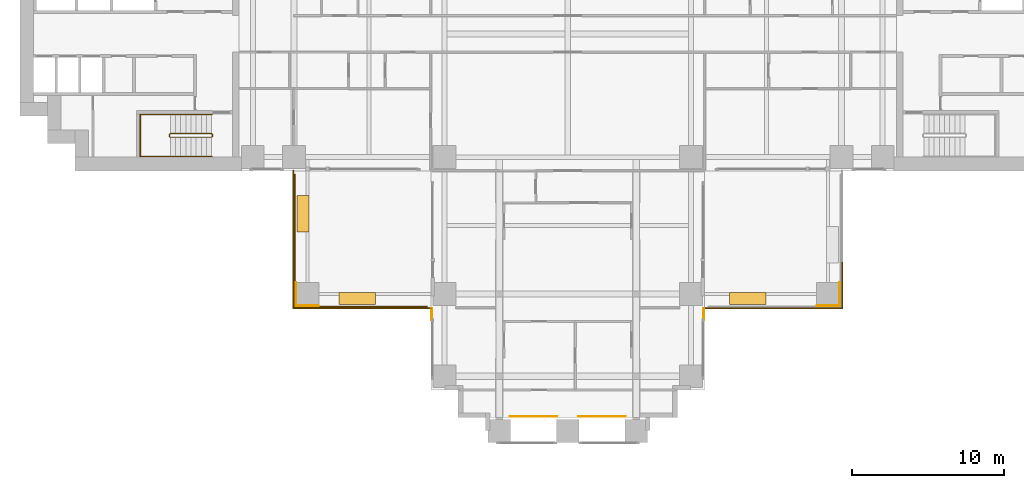
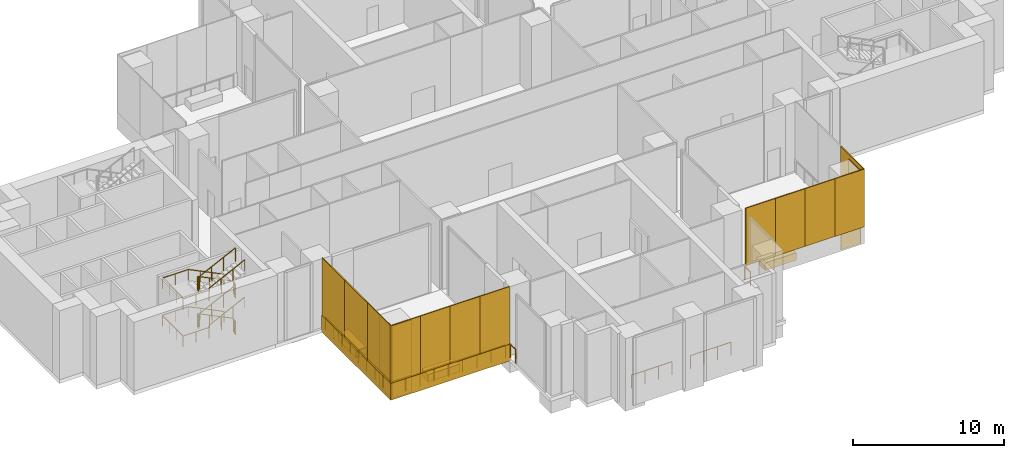
# One storey, part 14 of 17: 20 coverings, 8 railings.
"""IFC4 building model written with IfcOpenShell, lengths in metres."""

from ifc_helpers import new_model, si_unit, direction, frame, origin, origin_2d, place, context, subcontext, project, spatial, polyline, rectangle, outline, extrude, material, layer, layer_set, type_object, element, save


model = new_model("IFC4")

# Units and contexts
model_context = context("Model", 3, precision=1e-05, world=origin(), true_north=direction((0.0, 1.0)))
body_context = subcontext(model_context, "Body", "Model", "MODEL_VIEW")
ifc_project = project(units=[si_unit("LENGTHUNIT", "METRE"), si_unit("AREAUNIT", "SQUARE_METRE"), si_unit("VOLUMEUNIT", "CUBIC_METRE"), si_unit("PLANEANGLEUNIT", "RADIAN"), si_unit("MASSUNIT", "GRAM", prefix="KILO")], contexts=[model_context])

# Site, building, storey
site_placement = place(None, origin())
site = spatial("IfcSite", under=ifc_project, at=site_placement, CompositionType="ELEMENT")
building_placement = place(site_placement, origin())
building = spatial("IfcBuilding", under=site, at=building_placement, Name="Perihelion Cross Residences", CompositionType="ELEMENT")
storey_placement = place(building_placement, frame((0.0, 0.0, 21.0)))
storey = spatial("IfcBuildingStorey", under=building, at=storey_placement, Name="L02", CompositionType="ELEMENT", Elevation=21.0)

# Railings
ifc_material_1 = material(Name="Bronze anodised aluminium", Category="aluminium")
railing_type_1 = type_object("IfcRailingType", Name="Balcony guard 1100", PredefinedType="GUARDRAIL", material=ifc_material_1)
railing_1_placement = place(storey_placement, frame((-9.25, -17.93994140625, 0.0)))
element("IfcRailing", 1, at=railing_1_placement, inside=storey, type_object=railing_type_1, Name="Guard GU1 L02 pocket south-west 1", PredefinedType="GUARDRAIL", context=body_context, shape_type="SweptSolid", body=[
    extrude(rectangle(XDim=0.048095703125, YDim=0.048095703125, at=origin_2d()), frame((0.0, 0.0, 1.076171875), z_axis=(-1.0, 0.0, 0.0), x_axis=(0.0, -1.0, 0.0)), (0.0, 0.0, 1.0), 8.68994140625),
    extrude(rectangle(XDim=0.048095703125, YDim=0.048095703125, at=origin_2d()), frame((-8.68994140625, 0.0, 1.076171875), z_axis=(0.0, 1.0, 0.0), x_axis=(-1.0, 0.0, 0.0)), (0.0, 0.0, 1.0), 8.68994140625),
    extrude(rectangle(XDim=0.0419921875, YDim=0.0419921875, at=origin_2d()), origin(), (0.0, 0.0, 1.0), 1.052001953125),
    extrude(rectangle(XDim=0.0419921875, YDim=0.0419921875, at=origin_2d()), frame((-1.086181640625, 0.0, 0.0)), (0.0, 0.0, 1.0), 1.052001953125),
    extrude(rectangle(XDim=0.0419921875, YDim=0.0419921875, at=origin_2d()), frame((-2.17236328125, 0.0, 0.0)), (0.0, 0.0, 1.0), 1.052001953125),
    extrude(rectangle(XDim=0.0419921875, YDim=0.0419921875, at=origin_2d()), frame((-3.2587890625, 0.0, 0.0)), (0.0, 0.0, 1.0), 1.052001953125),
    extrude(rectangle(XDim=0.0419921875, YDim=0.0419921875, at=origin_2d()), frame((-4.344970703125, 0.0, 0.0)), (0.0, 0.0, 1.0), 1.052001953125),
    extrude(rectangle(XDim=0.0419921875, YDim=0.0419921875, at=origin_2d()), frame((-5.43115234375, 0.0, 0.0)), (0.0, 0.0, 1.0), 1.052001953125),
    extrude(rectangle(XDim=0.0419921875, YDim=0.0419921875, at=origin_2d()), frame((-6.517578125, 0.0, 0.0)), (0.0, 0.0, 1.0), 1.052001953125),
    extrude(rectangle(XDim=0.0419921875, YDim=0.0419921875, at=origin_2d()), frame((-7.603759765625, 0.0, 0.0)), (0.0, 0.0, 1.0), 1.052001953125),
    extrude(rectangle(XDim=0.0419921875, YDim=0.0419921875, at=origin_2d()), frame((-8.68994140625, 0.0, 0.0)), (0.0, 0.0, 1.0), 1.052001953125),
    extrude(rectangle(XDim=0.0419921875, YDim=0.0419921875, at=origin_2d()), frame((-8.68994140625, 1.086181640625, 0.0)), (0.0, 0.0, 1.0), 1.052001953125),
    extrude(rectangle(XDim=0.0419921875, YDim=0.0419921875, at=origin_2d()), frame((-8.68994140625, 2.17236328125, 0.0)), (0.0, 0.0, 1.0), 1.052001953125),
    extrude(rectangle(XDim=0.0419921875, YDim=0.0419921875, at=origin_2d()), frame((-8.68994140625, 3.2587890625, 0.0)), (0.0, 0.0, 1.0), 1.052001953125),
    extrude(rectangle(XDim=0.0419921875, YDim=0.0419921875, at=origin_2d()), frame((-8.68994140625, 4.344970703125, 0.0)), (0.0, 0.0, 1.0), 1.052001953125),
    extrude(rectangle(XDim=0.0419921875, YDim=0.0419921875, at=origin_2d()), frame((-8.68994140625, 5.43115234375, 0.0)), (0.0, 0.0, 1.0), 1.052001953125),
    extrude(rectangle(XDim=0.0419921875, YDim=0.0419921875, at=origin_2d()), frame((-8.68994140625, 6.517578125, 0.0)), (0.0, 0.0, 1.0), 1.052001953125),
    extrude(rectangle(XDim=0.0419921875, YDim=0.0419921875, at=origin_2d()), frame((-8.68994140625, 7.603759765625, 0.0)), (0.0, 0.0, 1.0), 1.052001953125),
    extrude(rectangle(XDim=0.0419921875, YDim=0.0419921875, at=origin_2d()), frame((-8.68994140625, 8.68994140625, 0.0)), (0.0, 0.0, 1.0), 1.052001953125),
])
railing_2_placement = place(storey_placement, frame((-8.93994140625, -18.050048828125, 0.0)))
element("IfcRailing", 2, at=railing_2_placement, inside=storey, type_object=railing_type_1, Name="Guard GU1 L02 edge 1 1 4", PredefinedType="GUARDRAIL", context=body_context, shape_type="SweptSolid", body=[
    extrude(rectangle(XDim=0.048095703125, YDim=0.048095703125, at=origin_2d()), frame((0.0, 0.0, 1.076171875), z_axis=(0.0, -1.0, 0.0), x_axis=(1.0, 0.0, 0.0)), (0.0, 0.0, 1.0), 0.75),
    extrude(rectangle(XDim=0.0419921875, YDim=0.0419921875, at=origin_2d()), origin(), (0.0, 0.0, 1.0), 1.052001953125),
    extrude(rectangle(XDim=0.0419921875, YDim=0.0419921875, at=origin_2d()), frame((0.0, -0.75, 0.0)), (0.0, 0.0, 1.0), 1.052001953125),
])
for number, where, name in (
    (3, (-3.800048828125, -25.139892578125, 0.0), "Guard GU1 L02 edge 1 1 6"),
    (4, (0.699951171875, -25.139892578125, 0.0), "Guard GU1 L02 edge 1 1 7"),
):
    element("IfcRailing", number, at=place(storey_placement, frame(where)), inside=storey, type_object=railing_type_1, Name=name, PredefinedType="GUARDRAIL", context=body_context, shape_type="SweptSolid", body=[
        extrude(rectangle(XDim=0.048095703125, YDim=0.048095703125, at=origin_2d()), frame((0.0, 0.0, 1.076171875), z_axis=(1.0, 0.0, 0.0), x_axis=(0.0, 1.0, 0.0)), (0.0, 0.0, 1.0), 3.10009765625),
        extrude(rectangle(XDim=0.0419921875, YDim=0.0419921875, at=origin_2d()), origin(), (0.0, 0.0, 1.0), 1.052001953125),
        extrude(rectangle(XDim=0.0419921875, YDim=0.0419921875, at=origin_2d()), frame((1.033447265625, 0.0, 0.0)), (0.0, 0.0, 1.0), 1.052001953125),
        extrude(rectangle(XDim=0.0419921875, YDim=0.0419921875, at=origin_2d()), frame((2.066650390625, 0.0, 0.0)), (0.0, 0.0, 1.0), 1.052001953125),
        extrude(rectangle(XDim=0.0419921875, YDim=0.0419921875, at=origin_2d()), frame((3.10009765625, 0.0, 0.0)), (0.0, 0.0, 1.0), 1.052001953125),
    ])
railing_3_placement = place(storey_placement, frame((8.93994140625, -18.800048828125, 0.0)))
element("IfcRailing", 5, at=railing_3_placement, inside=storey, type_object=railing_type_1, Name="Guard GU1 L02 edge 1 1 9", PredefinedType="GUARDRAIL", context=body_context, shape_type="SweptSolid", body=[
    extrude(rectangle(XDim=0.048095703125, YDim=0.048095703125, at=origin_2d()), frame((0.0, 0.0, 1.076171875), z_axis=(0.0, 1.0, 0.0), x_axis=(-1.0, 0.0, 0.0)), (0.0, 0.0, 1.0), 0.75),
    extrude(rectangle(XDim=0.0419921875, YDim=0.0419921875, at=origin_2d()), origin(), (0.0, 0.0, 1.0), 1.052001953125),
    extrude(rectangle(XDim=0.0419921875, YDim=0.0419921875, at=origin_2d()), frame((0.0, 0.75, 0.0)), (0.0, 0.0, 1.0), 1.052001953125),
])

# Coverings
ifc_material_2 = material(Name="Bronze anodised aluminium", Category="aluminium")
ifc_layer_1 = layer(ifc_material_2, 0.0400390625)
ifc_layer_set_1 = layer_set([ifc_layer_1], Name="Bronze column casing 40")
covering_type_1 = type_object("IfcCoveringType", Name="Bronze column casing 40", PredefinedType="CLADDING", material=ifc_layer_set_1)
covering_1_placement = place(storey_placement, frame((-17.8701171875, -17.10009765625, -0.300048828125), z_axis=(0.0, 0.0, 1.0), x_axis=(1.0, 0.0, 0.0)))
element("IfcCovering", 6, at=covering_1_placement, inside=storey, type_object=covering_type_1, Name="Cladding CC1 L02 casing east-west no. 1", PredefinedType="CLADDING", context=body_context, shape_type="SweptSolid", body=[
    extrude(rectangle(XDim=0.0400390625, YDim=1.580078125, at=origin_2d()), origin(), (0.0, 0.0, 1.0), 5.85009765625),
])
covering_2_placement = place(storey_placement, frame((-17.10009765625, -17.8701171875, -0.300048828125), z_axis=(0.0, 0.0, 1.0), x_axis=(1.0, 0.0, 0.0)))
element("IfcCovering", 7, at=covering_2_placement, inside=storey, type_object=covering_type_1, Name="Cladding CC1 L02 casing north-south no. 1", PredefinedType="CLADDING", context=body_context, shape_type="SweptSolid", body=[
    extrude(rectangle(XDim=1.5, YDim=0.0400390625, at=origin_2d()), origin(), (0.0, 0.0, 1.0), 5.85009765625),
])
covering_3_placement = place(storey_placement, frame((17.8701171875, -17.10009765625, -0.300048828125), z_axis=(0.0, 0.0, 1.0), x_axis=(1.0, 0.0, 0.0)))
element("IfcCovering", 8, at=covering_3_placement, inside=storey, type_object=covering_type_1, Name="Cladding CC1 L02 casing east-west no. 3", PredefinedType="CLADDING", context=body_context, shape_type="SweptSolid", body=[
    extrude(rectangle(XDim=0.0400390625, YDim=1.580078125, at=origin_2d()), origin(), (0.0, 0.0, 1.0), 5.85009765625),
])
covering_4_placement = place(storey_placement, frame((17.10009765625, -17.8701171875, -0.300048828125), z_axis=(0.0, 0.0, 1.0), x_axis=(1.0, 0.0, 0.0)))
element("IfcCovering", 9, at=covering_4_placement, inside=storey, type_object=covering_type_1, Name="Cladding CC1 L02 casing north-south no. 3", PredefinedType="CLADDING", context=body_context, shape_type="SweptSolid", body=[
    extrude(rectangle(XDim=1.5, YDim=0.0400390625, at=origin_2d()), origin(), (0.0, 0.0, 1.0), 5.85009765625),
])
ifc_material_3 = material(Name="Precast concrete C40/50", Category="concrete")
covering_type_2 = type_object("IfcCoveringType", Name="Planter box 2400", PredefinedType="USERDEFINED", material=ifc_material_3)
for number, where, z_axis, x_axis, name in (
    (10, (11.830078125, -17.389892578125, 0.0), (0.0, 0.0, 1.0), (-1.0, 0.0, 0.0), "Planter PT1 L02 pocket south-east 2"),
    (11, (-13.85009765625, -17.389892578125, 0.0), (0.0, 0.0, 1.0), (-1.0, 0.0, 0.0), "Planter PT1 L02 pocket south-west 1"),
    (12, (-17.389892578125, -11.830078125, 0.0), (0.0, 0.0, 1.0), (0.0, 1.0, 0.0), "Planter PT1 L02 pocket south-west 2"),
):
    element("IfcCovering", number, at=place(storey_placement, frame(where, z_axis=z_axis, x_axis=x_axis)), inside=storey, type_object=covering_type_2, Name=name, ObjectType="PLANTER", PredefinedType="USERDEFINED", context=body_context, shape_type="SweptSolid", body=[
        extrude(rectangle(XDim=2.39990234375, YDim=0.800048828125, at=origin_2d()), origin(), (0.0, 0.0, 1.0), 0.60009765625),
    ])
ifc_material_4 = material(Name="Bronze anodised aluminium", Category="aluminium")
ifc_layer_2 = layer(ifc_material_4, 0.070068359375)
ifc_layer_set_2 = layer_set([ifc_layer_2], Name="Pocket fascia 1350")
covering_type_3 = type_object("IfcCoveringType", Name="Pocket fascia 1350", PredefinedType="CLADDING", material=ifc_layer_set_2)
covering_5_placement = place(storey_placement, frame((0.0, 0.0, -0.25)))
element("IfcCovering", 13, at=covering_5_placement, inside=storey, type_object=covering_type_3, Name="Fascia BF2 L02 pocket south-west 1", PredefinedType="CLADDING", context=body_context, shape_type="SweptSolid", body=[
    extrude(outline(polyline([(-18.070068359375, -18.070068359375), (-8.929931640625, -18.070068359375), (-8.929931640625, -18.0), (-9.0, -18.0), (-9.0, -18.0), (-18.0, -18.0), (-18.0, -9.0), (-18.0, -9.0), (-18.0, -8.929931640625), (-18.070068359375, -8.929931640625), (-18.070068359375, -18.070068359375)])), origin(), (0.0, 0.0, 1.0), 1.35009765625),
])
ifc_material_5 = material(Name="Bronze perforated aluminium", Category="aluminium")
ifc_layer_3 = layer(ifc_material_5, 0.070068359375)
ifc_layer_set_3 = layer_set([ifc_layer_3], Name="Pocket solar screen, bronze perforated")
covering_type_4 = type_object("IfcCoveringType", Name="Pocket solar screen, bronze perforated", PredefinedType="CLADDING", material=ifc_layer_set_3)
covering_6_placement = place(storey_placement, frame((0.0, 0.0, 1.10009765625)))
element("IfcCovering", 14, at=covering_6_placement, inside=storey, type_object=covering_type_4, Name="Solar screen PS1 L02 pocket south-east no. 1", PredefinedType="CLADDING", context=body_context, shape_type="SweptSolid", body=[
    extrude(outline(polyline([(18.070068359375, -18.0), (18.070068359375, -15.0), (18.0, -15.0), (18.0, -18.0), (18.070068359375, -18.0)])), origin(), (0.0, 0.0, 1.0), 4.64990234375),
])
covering_7_placement = place(storey_placement, frame((0.0, 0.0, 1.10009765625)))
element("IfcCovering", 15, at=covering_7_placement, inside=storey, type_object=covering_type_4, Name="Solar screen PS1 L02 pocket south-east no. 4", PredefinedType="CLADDING", context=body_context, shape_type="SweptSolid", body=[
    extrude(outline(polyline([(11.267578125, -18.070068359375), (11.267578125, -18.0), (9.0, -18.0), (9.0, -18.070068359375), (11.267578125, -18.070068359375)])), origin(), (0.0, 0.0, 1.0), 4.64990234375),
])
covering_8_placement = place(storey_placement, frame((0.0, 0.0, 1.10009765625)))
element("IfcCovering", 16, at=covering_8_placement, inside=storey, type_object=covering_type_4, Name="Solar screen PS1 L02 pocket south-east no. 5", PredefinedType="CLADDING", context=body_context, shape_type="SweptSolid", body=[
    extrude(outline(polyline([(13.534912109375, -18.070068359375), (13.534912109375, -18.0), (11.267578125, -18.0), (11.267578125, -18.070068359375), (13.534912109375, -18.070068359375)])), origin(), (0.0, 0.0, 1.0), 4.64990234375),
])
covering_9_placement = place(storey_placement, frame((0.0, 0.0, 1.10009765625)))
element("IfcCovering", 17, at=covering_9_placement, inside=storey, type_object=covering_type_4, Name="Solar screen PS1 L02 pocket south-east no. 6", PredefinedType="CLADDING", context=body_context, shape_type="SweptSolid", body=[
    extrude(outline(polyline([(15.802490234375, -18.070068359375), (15.802490234375, -18.0), (13.534912109375, -18.0), (13.534912109375, -18.070068359375), (15.802490234375, -18.070068359375)])), origin(), (0.0, 0.0, 1.0), 4.64990234375),
])
covering_10_placement = place(storey_placement, frame((0.0, 0.0, 1.10009765625)))
element("IfcCovering", 18, at=covering_10_placement, inside=storey, type_object=covering_type_4, Name="Solar screen PS1 L02 pocket south-east no. 7", PredefinedType="CLADDING", context=body_context, shape_type="SweptSolid", body=[
    extrude(outline(polyline([(18.070068359375, -18.070068359375), (18.070068359375, -18.0), (15.802490234375, -18.0), (15.802490234375, -18.070068359375), (18.070068359375, -18.070068359375)])), origin(), (0.0, 0.0, 1.0), 4.64990234375),
])
covering_11_placement = place(storey_placement, frame((0.0, 0.0, 1.10009765625)))
element("IfcCovering", 19, at=covering_11_placement, inside=storey, type_object=covering_type_4, Name="Solar screen PS1 L02 pocket south-west no. 1", PredefinedType="CLADDING", context=body_context, shape_type="SweptSolid", body=[
    extrude(outline(polyline([(-18.0, -18.0), (-18.0, -15.0), (-18.070068359375, -15.0), (-18.070068359375, -18.0), (-18.0, -18.0)])), origin(), (0.0, 0.0, 1.0), 4.64990234375),
])
covering_12_placement = place(storey_placement, frame((0.0, 0.0, 1.10009765625)))
element("IfcCovering", 20, at=covering_12_placement, inside=storey, type_object=covering_type_4, Name="Solar screen PS1 L02 pocket south-west no. 2", PredefinedType="CLADDING", context=body_context, shape_type="SweptSolid", body=[
    extrude(outline(polyline([(-18.0, -15.0), (-18.0, -12.0), (-18.070068359375, -12.0), (-18.070068359375, -15.0), (-18.0, -15.0)])), origin(), (0.0, 0.0, 1.0), 4.64990234375),
])
covering_13_placement = place(storey_placement, frame((0.0, 0.0, 1.10009765625)))
element("IfcCovering", 21, at=covering_13_placement, inside=storey, type_object=covering_type_4, Name="Solar screen PS1 L02 pocket south-west no. 3", PredefinedType="CLADDING", context=body_context, shape_type="SweptSolid", body=[
    extrude(outline(polyline([(-18.0, -12.0), (-18.0, -9.0), (-18.070068359375, -9.0), (-18.070068359375, -12.0), (-18.0, -12.0)])), origin(), (0.0, 0.0, 1.0), 4.64990234375),
])
covering_14_placement = place(storey_placement, frame((0.0, 0.0, 1.10009765625)))
element("IfcCovering", 22, at=covering_14_placement, inside=storey, type_object=covering_type_4, Name="Solar screen PS1 L02 pocket south-west no. 4", PredefinedType="CLADDING", context=body_context, shape_type="SweptSolid", body=[
    extrude(outline(polyline([(-15.802490234375, -18.070068359375), (-15.802490234375, -18.0), (-18.070068359375, -18.0), (-18.070068359375, -18.070068359375), (-15.802490234375, -18.070068359375)])), origin(), (0.0, 0.0, 1.0), 4.64990234375),
])
covering_15_placement = place(storey_placement, frame((0.0, 0.0, 1.10009765625)))
element("IfcCovering", 23, at=covering_15_placement, inside=storey, type_object=covering_type_4, Name="Solar screen PS1 L02 pocket south-west no. 5", PredefinedType="CLADDING", context=body_context, shape_type="SweptSolid", body=[
    extrude(outline(polyline([(-13.534912109375, -18.070068359375), (-13.534912109375, -18.0), (-15.802490234375, -18.0), (-15.802490234375, -18.070068359375), (-13.534912109375, -18.070068359375)])), origin(), (0.0, 0.0, 1.0), 4.64990234375),
])
covering_16_placement = place(storey_placement, frame((0.0, 0.0, 1.10009765625)))
element("IfcCovering", 24, at=covering_16_placement, inside=storey, type_object=covering_type_4, Name="Solar screen PS1 L02 pocket south-west no. 6", PredefinedType="CLADDING", context=body_context, shape_type="SweptSolid", body=[
    extrude(outline(polyline([(-11.267578125, -18.070068359375), (-11.267578125, -18.0), (-13.534912109375, -18.0), (-13.534912109375, -18.070068359375), (-11.267578125, -18.070068359375)])), origin(), (0.0, 0.0, 1.0), 4.64990234375),
])
covering_17_placement = place(storey_placement, frame((0.0, 0.0, 1.10009765625)))
element("IfcCovering", 25, at=covering_17_placement, inside=storey, type_object=covering_type_4, Name="Solar screen PS1 L02 pocket south-west no. 7", PredefinedType="CLADDING", context=body_context, shape_type="SweptSolid", body=[
    extrude(outline(polyline([(-9.0, -18.070068359375), (-9.0, -18.0), (-11.267578125, -18.0), (-11.267578125, -18.070068359375), (-9.0, -18.070068359375)])), origin(), (0.0, 0.0, 1.0), 4.64990234375),
])

# Railings
ifc_material_6 = material(Name="Stainless steel", Category="steel")
railing_type_2 = type_object("IfcRailingType", Name="Stair guard 1100", PredefinedType="GUARDRAIL", material=ifc_material_6)
railing_4_placement = place(storey_placement, frame((-23.35009765625, -6.75, 0.0)))
element("IfcRailing", 26, at=railing_4_placement, inside=storey, type_object=railing_type_2, Name="L02 ST-W2 stair guard 1", PredefinedType="GUARDRAIL", context=body_context, shape_type="SweptSolid", body=[
    extrude(rectangle(XDim=0.048095703125, YDim=0.048095703125, at=origin_2d()), frame((0.0, 0.0, 1.076171875), z_axis=(0.0, 1.0, 0.0), x_axis=(-1.0, 0.0, 0.0)), (0.0, 0.0, 1.0), 0.14990234375),
    extrude(rectangle(XDim=0.048095703125, YDim=0.048095703125, at=origin_2d()), frame((0.0, 0.14990234375, 1.076171875), z_axis=(-0.275041040955, 0.276389281352, 0.920848191041), x_axis=(-0.708833529934, -0.705375805398, 0.0)), (0.0, 0.0, 1.0), 0.18115234375),
    extrude(rectangle(XDim=0.048095703125, YDim=0.048095703125, at=origin_2d()), frame((-0.0498046875, 0.199951171875, 1.24267578125), z_axis=(-0.897945078525, 0.0, 0.440107527717), x_axis=(0.0, -1.0, 0.0)), (0.0, 0.0, 1.0), 3.029296875),
    extrude(rectangle(XDim=0.048095703125, YDim=0.048095703125, at=origin_2d()), frame((-2.77001953125, 0.199951171875, 2.576171875), z_axis=(-0.705375805398, -0.708833529934, 0.0), x_axis=(0.708833529934, -0.705375805398, 0.0)), (0.0, 0.0, 1.0), 0.070556640625),
    extrude(rectangle(XDim=0.048095703125, YDim=0.048095703125, at=origin_2d()), frame((-2.81982421875, 0.14990234375, 2.576171875), z_axis=(0.0, -1.0, 0.0), x_axis=(1.0, 0.0, 0.0)), (0.0, 0.0, 1.0), 0.14990234375),
    extrude(rectangle(XDim=0.048095703125, YDim=0.048095703125, at=origin_2d()), frame((-2.81982421875, 0.0, 2.576171875), z_axis=(0.275041040955, -0.276389281352, 0.920848191041), x_axis=(0.708833529934, 0.705375805398, 0.0)), (0.0, 0.0, 1.0), 0.18115234375),
    extrude(rectangle(XDim=0.048095703125, YDim=0.048095703125, at=origin_2d()), frame((-2.77001953125, -0.050048828125, 2.74267578125), z_axis=(0.897945078525, 0.0, 0.440107527717), x_axis=(0.0, 1.0, 0.0)), (0.0, 0.0, 1.0), 3.029296875),
    extrude(rectangle(XDim=0.048095703125, YDim=0.048095703125, at=origin_2d()), frame((-0.0498046875, -0.050048828125, 4.076171875), z_axis=(0.241699205484, 0.970351222016, 0.0), x_axis=(-0.970351222016, 0.241699205484, 0.0)), (0.0, 0.0, 1.0), 0.2060546875),
    extrude(rectangle(XDim=0.048095703125, YDim=0.048095703125, at=origin_2d()), frame((0.0, 0.14990234375, 4.076171875), z_axis=(0.0, -1.0, 0.0), x_axis=(1.0, 0.0, 0.0)), (0.0, 0.0, 1.0), 0.14990234375),
    extrude(rectangle(XDim=0.048095703125, YDim=0.048095703125, at=origin_2d()), frame((0.0, 0.0, 4.076171875), z_axis=(-0.1878875253, 0.754313153044, 0.629054802844), x_axis=(-0.970351222016, -0.241699205484, 0.0)), (0.0, 0.0, 1.0), 0.26513671875),
    extrude(rectangle(XDim=0.048095703125, YDim=0.048095703125, at=origin_2d()), frame((-0.0498046875, 0.199951171875, 4.24267578125), z_axis=(-0.897945078525, 0.0, 0.440107527717), x_axis=(0.0, -1.0, 0.0)), (0.0, 0.0, 1.0), 3.029296875),
    extrude(rectangle(XDim=0.048095703125, YDim=0.048095703125, at=origin_2d()), frame((-2.77001953125, 0.199951171875, 5.576171875), z_axis=(-0.705375805398, -0.708833529934, 0.0), x_axis=(0.708833529934, -0.705375805398, 0.0)), (0.0, 0.0, 1.0), 0.070556640625),
    extrude(rectangle(XDim=0.048095703125, YDim=0.048095703125, at=origin_2d()), frame((-2.81982421875, 0.14990234375, 5.576171875), z_axis=(0.0, -1.0, 0.0), x_axis=(1.0, 0.0, 0.0)), (0.0, 0.0, 1.0), 0.14990234375),
    extrude(rectangle(XDim=0.048095703125, YDim=0.048095703125, at=origin_2d()), frame((-2.81982421875, 0.0, 5.576171875), z_axis=(0.275041040955, -0.276389281352, 0.920848191041), x_axis=(0.708833529934, 0.705375805398, 0.0)), (0.0, 0.0, 1.0), 0.18115234375),
    extrude(rectangle(XDim=0.048095703125, YDim=0.048095703125, at=origin_2d()), frame((-2.77001953125, -0.050048828125, 5.74267578125), z_axis=(0.897945078525, 0.0, 0.440107527717), x_axis=(0.0, 1.0, 0.0)), (0.0, 0.0, 1.0), 3.029296875),
    extrude(rectangle(XDim=0.0419921875, YDim=0.0419921875, at=origin_2d()), origin(), (0.0, 0.0, 1.0), 1.052001953125),
    extrude(rectangle(XDim=0.0419921875, YDim=0.0419921875, at=origin_2d()), frame((0.0, 0.14990234375, 0.0)), (0.0, 0.0, 1.0), 1.052001953125),
    extrude(rectangle(XDim=0.0419921875, YDim=0.0419921875, at=origin_2d()), frame((-0.0498046875, 0.199951171875, 0.166748046875)), (0.0, 0.0, 1.0), 1.052001953125),
    extrude(rectangle(XDim=0.0419921875, YDim=0.0419921875, at=origin_2d()), frame((-0.95654296875, 0.199951171875, 0.611083984375)), (0.0, 0.0, 1.0), 1.052001953125),
    extrude(rectangle(XDim=0.0419921875, YDim=0.0419921875, at=origin_2d()), frame((-1.86328125, 0.199951171875, 1.0556640625)), (0.0, 0.0, 1.0), 1.052001953125),
    extrude(rectangle(XDim=0.0419921875, YDim=0.0419921875, at=origin_2d()), frame((-2.77001953125, 0.199951171875, 1.5)), (0.0, 0.0, 1.0), 1.052001953125),
    extrude(rectangle(XDim=0.0419921875, YDim=0.0419921875, at=origin_2d()), frame((-2.81982421875, 0.14990234375, 1.5)), (0.0, 0.0, 1.0), 1.052001953125),
    extrude(rectangle(XDim=0.0419921875, YDim=0.0419921875, at=origin_2d()), frame((-2.81982421875, 0.0, 1.5)), (0.0, 0.0, 1.0), 1.052001953125),
    extrude(rectangle(XDim=0.0419921875, YDim=0.0419921875, at=origin_2d()), frame((-2.77001953125, -0.050048828125, 1.666748046875)), (0.0, 0.0, 1.0), 1.052001953125),
    extrude(rectangle(XDim=0.0419921875, YDim=0.0419921875, at=origin_2d()), frame((-1.86328125, -0.050048828125, 2.111083984375)), (0.0, 0.0, 1.0), 1.052001953125),
    extrude(rectangle(XDim=0.0419921875, YDim=0.0419921875, at=origin_2d()), frame((-0.95654296875, -0.050048828125, 2.5556640625)), (0.0, 0.0, 1.0), 1.052001953125),
    extrude(rectangle(XDim=0.0419921875, YDim=0.0419921875, at=origin_2d()), frame((-0.0498046875, -0.050048828125, 3.0)), (0.0, 0.0, 1.0), 1.052001953125),
    extrude(rectangle(XDim=0.0419921875, YDim=0.0419921875, at=origin_2d()), frame((0.0, 0.14990234375, 3.0)), (0.0, 0.0, 1.0), 1.052001953125),
    extrude(rectangle(XDim=0.0419921875, YDim=0.0419921875, at=origin_2d()), frame((0.0, 0.0, 3.0)), (0.0, 0.0, 1.0), 1.052001953125),
    extrude(rectangle(XDim=0.0419921875, YDim=0.0419921875, at=origin_2d()), frame((-0.0498046875, 0.199951171875, 3.166748046875)), (0.0, 0.0, 1.0), 1.052001953125),
    extrude(rectangle(XDim=0.0419921875, YDim=0.0419921875, at=origin_2d()), frame((-0.95654296875, 0.199951171875, 3.611083984375)), (0.0, 0.0, 1.0), 1.052001953125),
    extrude(rectangle(XDim=0.0419921875, YDim=0.0419921875, at=origin_2d()), frame((-1.86328125, 0.199951171875, 4.0556640625)), (0.0, 0.0, 1.0), 1.052001953125),
    extrude(rectangle(XDim=0.0419921875, YDim=0.0419921875, at=origin_2d()), frame((-2.77001953125, 0.199951171875, 4.5)), (0.0, 0.0, 1.0), 1.052001953125),
    extrude(rectangle(XDim=0.0419921875, YDim=0.0419921875, at=origin_2d()), frame((-2.81982421875, 0.14990234375, 4.5)), (0.0, 0.0, 1.0), 1.052001953125),
    extrude(rectangle(XDim=0.0419921875, YDim=0.0419921875, at=origin_2d()), frame((-2.81982421875, 0.0, 4.5)), (0.0, 0.0, 1.0), 1.052001953125),
    extrude(rectangle(XDim=0.0419921875, YDim=0.0419921875, at=origin_2d()), frame((-2.77001953125, -0.050048828125, 4.666748046875)), (0.0, 0.0, 1.0), 1.052001953125),
    extrude(rectangle(XDim=0.0419921875, YDim=0.0419921875, at=origin_2d()), frame((-1.86328125, -0.050048828125, 5.111083984375)), (0.0, 0.0, 1.0), 1.052001953125),
    extrude(rectangle(XDim=0.0419921875, YDim=0.0419921875, at=origin_2d()), frame((-0.95654296875, -0.050048828125, 5.5556640625)), (0.0, 0.0, 1.0), 1.052001953125),
    extrude(rectangle(XDim=0.0419921875, YDim=0.0419921875, at=origin_2d()), frame((-0.0498046875, -0.050048828125, 6.0)), (0.0, 0.0, 1.0), 1.052001953125),
])
ifc_material_7 = material(Name="Stainless steel", Category="steel")
railing_type_3 = type_object("IfcRailingType", Name="Stair handrail 900", PredefinedType="HANDRAIL", material=ifc_material_7)
railing_5_placement = place(storey_placement, frame((-23.39990234375, -5.300048828125, 0.166748046875)))
element("IfcRailing", 27, at=railing_5_placement, inside=storey, type_object=railing_type_3, Name="L02 ST-W2 stair handrail 1", PredefinedType="HANDRAIL", context=body_context, shape_type="SweptSolid", body=[
    extrude(rectangle(XDim=0.048095703125, YDim=0.048095703125, at=origin_2d()), frame((0.0, 0.0, 0.8759765625), z_axis=(-0.897945078525, 0.0, 0.440107527717), x_axis=(0.0, -1.0, 0.0)), (0.0, 0.0, 1.0), 3.029296875),
    extrude(rectangle(XDim=0.048095703125, YDim=0.048095703125, at=origin_2d()), frame((-2.72021484375, 0.0, 2.208984375), z_axis=(-1.0, 0.0, 0.0), x_axis=(0.0, -1.0, 0.0)), (0.0, 0.0, 1.0), 1.97998046875),
    extrude(rectangle(XDim=0.048095703125, YDim=0.048095703125, at=origin_2d()), frame((-4.7001953125, 0.0, 2.208984375), z_axis=(0.0, -1.0, 0.0), x_axis=(1.0, 0.0, 0.0)), (0.0, 0.0, 1.0), 2.75),
    extrude(rectangle(XDim=0.048095703125, YDim=0.048095703125, at=origin_2d()), frame((-4.7001953125, -2.75, 2.208984375), z_axis=(1.0, 0.0, 0.0), x_axis=(0.0, 1.0, 0.0)), (0.0, 0.0, 1.0), 1.97998046875),
    extrude(rectangle(XDim=0.048095703125, YDim=0.048095703125, at=origin_2d()), frame((-2.72021484375, -2.75, 2.208984375), z_axis=(0.0, 0.0, 1.0), x_axis=(1.0, 0.0, 0.0)), (0.0, 0.0, 1.0), 0.166748046875),
    extrude(rectangle(XDim=0.048095703125, YDim=0.048095703125, at=origin_2d()), frame((-2.72021484375, -2.75, 2.3759765625), z_axis=(0.897945078525, 0.0, 0.440107527717), x_axis=(0.0, 1.0, 0.0)), (0.0, 0.0, 1.0), 3.029296875),
    extrude(rectangle(XDim=0.0419921875, YDim=0.0419921875, at=origin_2d()), origin(), (0.0, 0.0, 1.0), 0.851806640625),
    extrude(rectangle(XDim=0.0419921875, YDim=0.0419921875, at=origin_2d()), frame((-0.90673828125, 0.0, 0.4443359375)), (0.0, 0.0, 1.0), 0.851806640625),
    extrude(rectangle(XDim=0.0419921875, YDim=0.0419921875, at=origin_2d()), frame((-1.8134765625, 0.0, 0.888916015625)), (0.0, 0.0, 1.0), 0.851806640625),
    extrude(rectangle(XDim=0.0419921875, YDim=0.0419921875, at=origin_2d()), frame((-2.72021484375, 0.0, 1.333251953125)), (0.0, 0.0, 1.0), 0.851806640625),
    extrude(rectangle(XDim=0.0419921875, YDim=0.0419921875, at=origin_2d()), frame((-3.710205078125, 0.0, 1.333251953125)), (0.0, 0.0, 1.0), 0.851806640625),
    extrude(rectangle(XDim=0.0419921875, YDim=0.0419921875, at=origin_2d()), frame((-4.7001953125, 0.0, 1.333251953125)), (0.0, 0.0, 1.0), 0.851806640625),
    extrude(rectangle(XDim=0.0419921875, YDim=0.0419921875, at=origin_2d()), frame((-4.7001953125, -0.916748046875, 1.333251953125)), (0.0, 0.0, 1.0), 0.851806640625),
    extrude(rectangle(XDim=0.0419921875, YDim=0.0419921875, at=origin_2d()), frame((-4.7001953125, -1.833251953125, 1.333251953125)), (0.0, 0.0, 1.0), 0.851806640625),
    extrude(rectangle(XDim=0.0419921875, YDim=0.0419921875, at=origin_2d()), frame((-4.7001953125, -2.75, 1.333251953125)), (0.0, 0.0, 1.0), 0.851806640625),
    extrude(rectangle(XDim=0.0419921875, YDim=0.0419921875, at=origin_2d()), frame((-3.710205078125, -2.75, 1.333251953125)), (0.0, 0.0, 1.0), 0.851806640625),
    extrude(rectangle(XDim=0.0419921875, YDim=0.0419921875, at=origin_2d()), frame((-2.72021484375, -2.75, 1.333251953125)), (0.0, 0.0, 1.0), 0.851806640625),
    extrude(rectangle(XDim=0.0419921875, YDim=0.0419921875, at=origin_2d()), frame((-2.72021484375, -2.75, 1.5)), (0.0, 0.0, 1.0), 0.851806640625),
    extrude(rectangle(XDim=0.0419921875, YDim=0.0419921875, at=origin_2d()), frame((-1.8134765625, -2.75, 1.9443359375)), (0.0, 0.0, 1.0), 0.851806640625),
    extrude(rectangle(XDim=0.0419921875, YDim=0.0419921875, at=origin_2d()), frame((-0.90673828125, -2.75, 2.388916015625)), (0.0, 0.0, 1.0), 0.851806640625),
    extrude(rectangle(XDim=0.0419921875, YDim=0.0419921875, at=origin_2d()), frame((0.0, -2.75, 2.833251953125)), (0.0, 0.0, 1.0), 0.851806640625),
])
railing_6_placement = place(storey_placement, frame((-23.39990234375, -5.300048828125, 3.166748046875)))
element("IfcRailing", 28, at=railing_6_placement, inside=storey, type_object=railing_type_3, Name="L02 ST-W2 stair handrail 2", PredefinedType="HANDRAIL", context=body_context, shape_type="SweptSolid", body=[
    extrude(rectangle(XDim=0.048095703125, YDim=0.048095703125, at=origin_2d()), frame((0.0, 0.0, 0.8759765625), z_axis=(-0.897945078525, 0.0, 0.440107527717), x_axis=(0.0, -1.0, 0.0)), (0.0, 0.0, 1.0), 3.029296875),
    extrude(rectangle(XDim=0.048095703125, YDim=0.048095703125, at=origin_2d()), frame((-2.72021484375, 0.0, 2.208984375), z_axis=(-1.0, 0.0, 0.0), x_axis=(0.0, -1.0, 0.0)), (0.0, 0.0, 1.0), 1.97998046875),
    extrude(rectangle(XDim=0.048095703125, YDim=0.048095703125, at=origin_2d()), frame((-4.7001953125, 0.0, 2.208984375), z_axis=(0.0, -1.0, 0.0), x_axis=(1.0, 0.0, 0.0)), (0.0, 0.0, 1.0), 2.75),
    extrude(rectangle(XDim=0.048095703125, YDim=0.048095703125, at=origin_2d()), frame((-4.7001953125, -2.75, 2.208984375), z_axis=(1.0, 0.0, 0.0), x_axis=(0.0, 1.0, 0.0)), (0.0, 0.0, 1.0), 1.97998046875),
    extrude(rectangle(XDim=0.048095703125, YDim=0.048095703125, at=origin_2d()), frame((-2.72021484375, -2.75, 2.208984375), z_axis=(0.0, 0.0, 1.0), x_axis=(1.0, 0.0, 0.0)), (0.0, 0.0, 1.0), 0.166748046875),
    extrude(rectangle(XDim=0.048095703125, YDim=0.048095703125, at=origin_2d()), frame((-2.72021484375, -2.75, 2.3759765625), z_axis=(0.897945078525, 0.0, 0.440107527717), x_axis=(0.0, 1.0, 0.0)), (0.0, 0.0, 1.0), 3.029296875),
    extrude(rectangle(XDim=0.0419921875, YDim=0.0419921875, at=origin_2d()), origin(), (0.0, 0.0, 1.0), 0.851806640625),
    extrude(rectangle(XDim=0.0419921875, YDim=0.0419921875, at=origin_2d()), frame((-0.90673828125, 0.0, 0.4443359375)), (0.0, 0.0, 1.0), 0.851806640625),
    extrude(rectangle(XDim=0.0419921875, YDim=0.0419921875, at=origin_2d()), frame((-1.8134765625, 0.0, 0.888916015625)), (0.0, 0.0, 1.0), 0.851806640625),
    extrude(rectangle(XDim=0.0419921875, YDim=0.0419921875, at=origin_2d()), frame((-2.72021484375, 0.0, 1.333251953125)), (0.0, 0.0, 1.0), 0.851806640625),
    extrude(rectangle(XDim=0.0419921875, YDim=0.0419921875, at=origin_2d()), frame((-3.710205078125, 0.0, 1.333251953125)), (0.0, 0.0, 1.0), 0.851806640625),
    extrude(rectangle(XDim=0.0419921875, YDim=0.0419921875, at=origin_2d()), frame((-4.7001953125, 0.0, 1.333251953125)), (0.0, 0.0, 1.0), 0.851806640625),
    extrude(rectangle(XDim=0.0419921875, YDim=0.0419921875, at=origin_2d()), frame((-4.7001953125, -0.916748046875, 1.333251953125)), (0.0, 0.0, 1.0), 0.851806640625),
    extrude(rectangle(XDim=0.0419921875, YDim=0.0419921875, at=origin_2d()), frame((-4.7001953125, -1.833251953125, 1.333251953125)), (0.0, 0.0, 1.0), 0.851806640625),
    extrude(rectangle(XDim=0.0419921875, YDim=0.0419921875, at=origin_2d()), frame((-4.7001953125, -2.75, 1.333251953125)), (0.0, 0.0, 1.0), 0.851806640625),
    extrude(rectangle(XDim=0.0419921875, YDim=0.0419921875, at=origin_2d()), frame((-3.710205078125, -2.75, 1.333251953125)), (0.0, 0.0, 1.0), 0.851806640625),
    extrude(rectangle(XDim=0.0419921875, YDim=0.0419921875, at=origin_2d()), frame((-2.72021484375, -2.75, 1.333251953125)), (0.0, 0.0, 1.0), 0.851806640625),
    extrude(rectangle(XDim=0.0419921875, YDim=0.0419921875, at=origin_2d()), frame((-2.72021484375, -2.75, 1.5)), (0.0, 0.0, 1.0), 0.851806640625),
    extrude(rectangle(XDim=0.0419921875, YDim=0.0419921875, at=origin_2d()), frame((-1.8134765625, -2.75, 1.9443359375)), (0.0, 0.0, 1.0), 0.851806640625),
    extrude(rectangle(XDim=0.0419921875, YDim=0.0419921875, at=origin_2d()), frame((-0.90673828125, -2.75, 2.388916015625)), (0.0, 0.0, 1.0), 0.851806640625),
    extrude(rectangle(XDim=0.0419921875, YDim=0.0419921875, at=origin_2d()), frame((0.0, -2.75, 2.833251953125)), (0.0, 0.0, 1.0), 0.851806640625),
])

save(model, "model.ifc")
